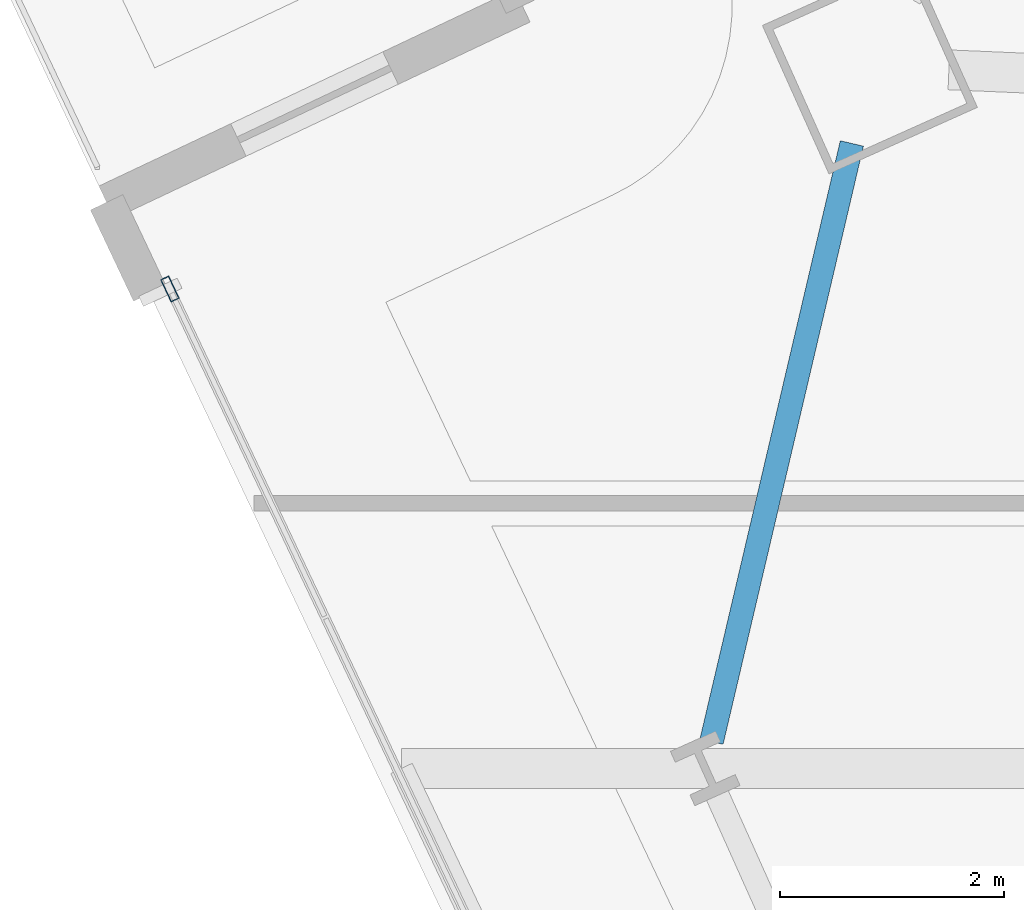
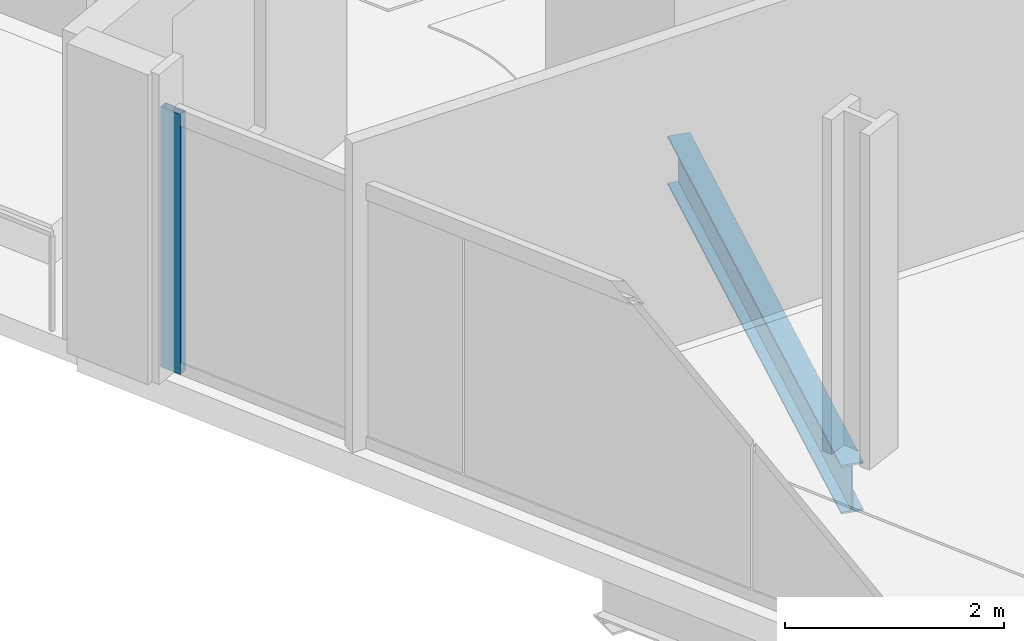
# One storey, part 13 of 34: 1 beam, 1 member, 1 element without a shape of its own.
"""IFC4 building model written with IfcOpenShell, lengths in metres."""

from ifc_helpers import new_model, si_unit, direction, frame, origin, origin_2d, place, context, subcontext, project, spatial, hollow_rectangle, i_section, extrude, material, material_profile, profile_set, type_object, element, aggregate, save


model = new_model("IFC4")

# Units and contexts
model_context = context("Model", 3, precision=1e-05, world=origin(), true_north=direction((0.0, 1.0)))
body_context = subcontext(model_context, "Body", "Model", "MODEL_VIEW")
ifc_project = project(units=[si_unit("LENGTHUNIT", "METRE"), si_unit("AREAUNIT", "SQUARE_METRE"), si_unit("VOLUMEUNIT", "CUBIC_METRE"), si_unit("PLANEANGLEUNIT", "RADIAN"), si_unit("MASSUNIT", "GRAM", prefix="KILO")], contexts=[model_context])

# Site, building, storey
site_placement = place(None, origin())
site = spatial("IfcSite", under=ifc_project, at=site_placement, CompositionType="ELEMENT")
building_placement = place(site_placement, origin())
building = spatial("IfcBuilding", under=site, at=building_placement, Name="Haldenkirk Collegiate Tower", CompositionType="ELEMENT")
storey_placement = place(building_placement, frame((0.0, 0.0, 112.949951171875)))
storey = spatial("IfcBuildingStorey", under=building, at=storey_placement, Name="L27", CompositionType="ELEMENT", Elevation=112.949951171875)

# Beam
ifc_material_1 = material(Name="Steel ASTM A992 Grade 50", Category="steel")
ifc_material_profile_1 = material_profile(ifc_material_1, i_section(OverallWidth=0.2119140625, OverallDepth=0.5439453125, WebThickness=0.01318359375, FlangeThickness=0.021240234375, at=origin_2d()), Name="W21X83")
ifc_profile_set_1 = profile_set([ifc_material_profile_1], Name="Steel ASTM A992 Grade 50")
beam_type = type_object("IfcBeamType", Name="BM-SPANDREL-W21X83", PredefinedType="SPANDREL", material=ifc_profile_set_1)
beam_placement = place(storey_placement, frame((10.624755859375, 34.0087890625, -0.572021484375), z_axis=(-0.228373515871, -0.97357359108, 0.0), x_axis=(0.97357359108, -0.228373515871, 0.0)))
element("IfcBeam", 1, at=beam_placement, inside=storey, type_object=beam_type, Name="L27 perimeter spandrel beam 13", PredefinedType="SPANDREL", context=body_context, shape_type="SweptSolid", body=[
    extrude(i_section(OverallWidth=0.2119140625, OverallDepth=0.5439453125, WebThickness=0.01318359375, FlangeThickness=0.021240234375, at=origin_2d()), origin(), (0.0, 0.0, 1.0), 5.477783203125),
])

# Curtain wall, member
ifc_material_2 = material(Name="Anodised architectural bronze aluminium", Category="aluminium")
curtain_wall_type = type_object("IfcCurtainWallType", Name="CW-SYS1-CONVEX-LOW", PredefinedType="USERDEFINED", material=ifc_material_2)
curtain_wall_placement = place(storey_placement, origin())
curtain_wall = element("IfcCurtainWall", 2, at=curtain_wall_placement, inside=storey, type_object=curtain_wall_type, Name="L27 Lower tower convex bronze-framed unitised curtain wall", ObjectType="UNITISED CURTAIN WALL", PredefinedType="USERDEFINED")
ifc_material_profile_2 = material_profile(ifc_material_2, hollow_rectangle(XDim=0.080078125, YDim=0.219970703125, WallThickness=0.0048828125, at=origin_2d()), Name="CW-MUL-1A")
ifc_profile_set_2 = profile_set([ifc_material_profile_2], Name="Anodised architectural bronze aluminium")
member_type = type_object("IfcMemberType", Name="CW-MUL-1A", PredefinedType="MULLION", material=ifc_profile_set_2)
member_placement = place(storey_placement, frame((4.544677734375, 32.7109375, 0.0), z_axis=(0.0, 0.0, 1.0), x_axis=(-0.904081410273, -0.427360273772, 0.0)))
member = element("IfcMember", 3, at=member_placement, type_object=member_type, Name="CW-1A mullion 5", PredefinedType="MULLION", context=body_context, shape_type="SweptSolid", body=[
    extrude(hollow_rectangle(XDim=0.080078125, YDim=0.219970703125, WallThickness=0.0048828125, at=origin_2d()), origin(), (0.0, 0.0, 1.0), 2.901123046875),
])
aggregate(curtain_wall, [member])

save(model, "model.ifc")
